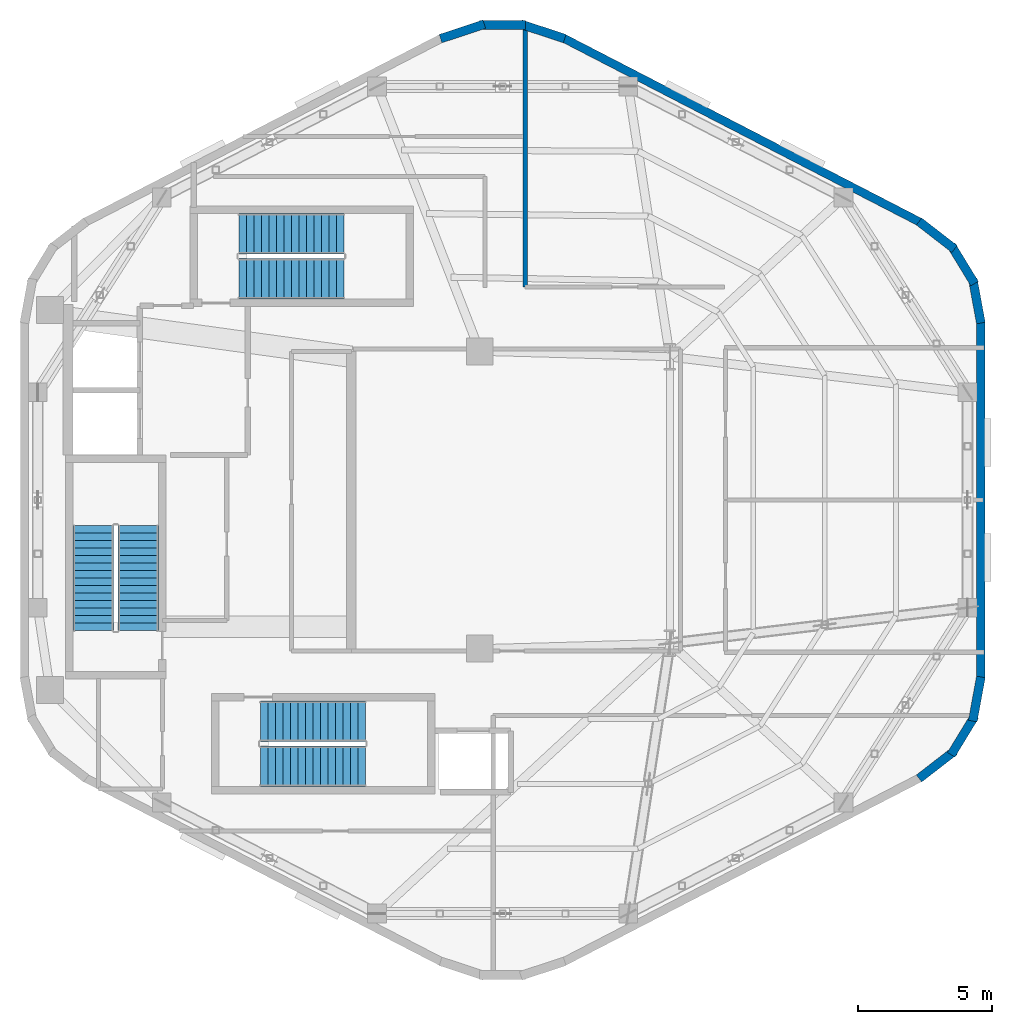
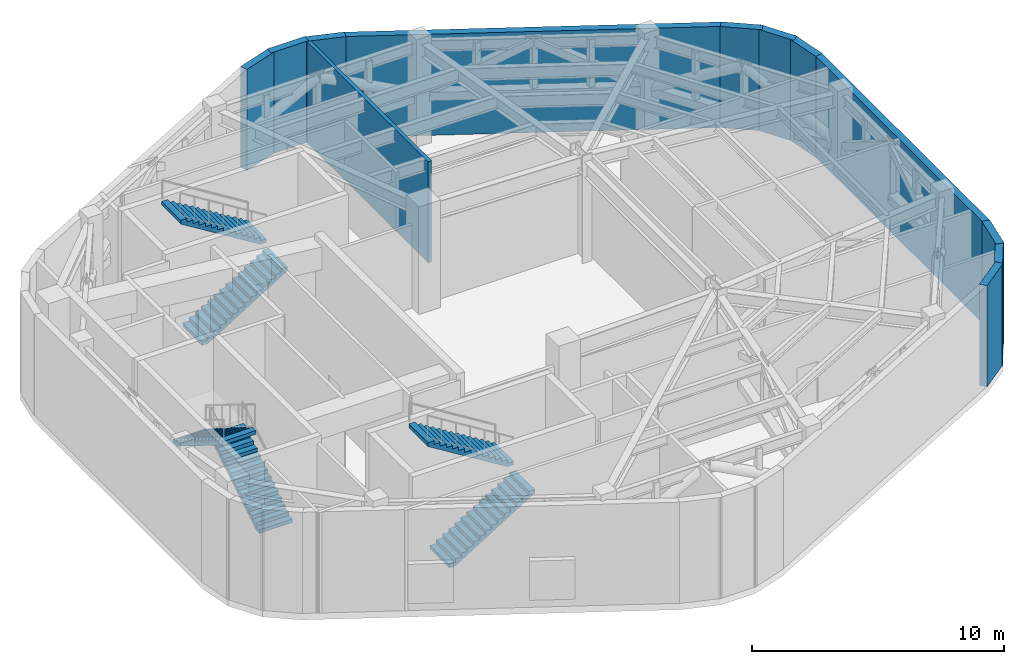
# One storey, part 7 of 8: 12 walls, 6 stair flights, 3 elements without a shape of their own.
"""IFC4 building model written with IfcOpenShell, lengths in metres."""

import ifcopenshell
import ifcopenshell.guid

model = None  # the IFC model being written
_history = None  # IfcOwnerHistory: only IFC2X3 demands one
_inside = {}  # id of a spatial element -> (the spatial element, [elements in it])
_under = {}  # id of a project, library or spatial element -> (it, [spatial elements below it])
_declared = {}  # id of a project -> (the project, [libraries it declares])
_typed = {}  # id of a type object -> (the type object, [elements of that type])
_made_of = {}  # id of a material, layer set ... -> (it, [elements and type objects made of it])


def new_model(schema):
    """Start an empty IFC model of exactly this schema.

    Asked for "IFC4X3", IfcOpenShell would pick the latest addendum, in which some entities
    have other attributes; the version numbers below select the first issue.
    IFC2X3 requires an IfcOwnerHistory on every rooted entity: one is made here for all.
    """
    global model, _history
    if schema == "IFC4X3":
        model = ifcopenshell.file(schema_version=(4, 3, 0, 0))
    else:
        model = ifcopenshell.file(schema=schema)
    _inside.clear()
    _under.clear()
    _declared.clear()
    _typed.clear()
    _made_of.clear()
    _history = None
    if model.schema == "IFC2X3":
        org = make("IfcOrganization", Name="unknown")
        user = make(
            "IfcPersonAndOrganization",
            ThePerson=make("IfcPerson", FamilyName="unknown"),
            TheOrganization=org,
        )
        app = make(
            "IfcApplication",
            ApplicationDeveloper=org,
            Version="unknown",
            ApplicationFullName="unknown",
            ApplicationIdentifier="unknown",
        )
        _history = make(
            "IfcOwnerHistory",
            OwningUser=user,
            OwningApplication=app,
            ChangeAction="ADDED",
            CreationDate=0,
        )
    return model


def make(cls, **values):
    """One entity of the class cls with the attributes given. An attribute that is None is left unset."""
    return model.create_entity(
        cls, **{name: value for name, value in values.items() if value is not None}
    )


def rooted(cls, **values):
    """An entity with a GlobalId (a new one), such as an element, a storey or a relation."""
    return make(cls, GlobalId=ifcopenshell.guid.new(), OwnerHistory=_history, **values)


def si_unit(unit_type, name, prefix=None):
    """IfcSIUnit, for example si_unit("LENGTHUNIT", "METRE", prefix="MILLI")."""
    return make("IfcSIUnit", UnitType=unit_type, Prefix=prefix, Name=name)


def assignment(units):
    """IfcUnitAssignment: the units of a project."""
    return None if units is None else make("IfcUnitAssignment", Units=units)


def point(xyz):
    """IfcCartesianPoint."""
    return None if xyz is None else make("IfcCartesianPoint", Coordinates=xyz)


def direction(xyz):
    """IfcDirection."""
    return None if xyz is None else make("IfcDirection", DirectionRatios=xyz)


def frame(location, z_axis=None, x_axis=None):
    """IfcAxis2Placement3D, a coordinate frame: its origin and axes. An axis left out is left unset."""
    return make(
        "IfcAxis2Placement3D",
        Location=point(location),
        Axis=direction(z_axis),
        RefDirection=direction(x_axis),
    )


def frame_2d(location, x_axis=None):
    """IfcAxis2Placement2D, a coordinate frame in the plane: its origin and x axis."""
    return make(
        "IfcAxis2Placement2D", Location=point(location), RefDirection=direction(x_axis)
    )


def origin():
    """The frame at (0, 0, 0) with its axes left unset."""
    return frame((0.0, 0.0, 0.0))


def place(relative_to, where):
    """IfcLocalPlacement: puts the frame where relative to a parent placement (None: the world)."""
    return make(
        "IfcLocalPlacement", PlacementRelTo=relative_to, RelativePlacement=where
    )


def context(
    kind, dimensions, precision=None, world=None, true_north=None, identifier=None
):
    """IfcGeometricRepresentationContext, for example the 3D "Model" context."""
    return make(
        "IfcGeometricRepresentationContext",
        ContextIdentifier=identifier,
        ContextType=kind,
        CoordinateSpaceDimension=dimensions,
        Precision=precision,
        WorldCoordinateSystem=world,
        TrueNorth=true_north,
    )


def subcontext(parent, identifier, kind, view, scale=None):
    """IfcGeometricRepresentationSubContext, for example "Body" below "Model"."""
    return make(
        "IfcGeometricRepresentationSubContext",
        ContextIdentifier=identifier,
        ContextType=kind,
        ParentContext=parent,
        TargetScale=scale,
        TargetView=view,
    )


def project(units=None, contexts=None):
    """IfcProject with its units and contexts."""
    return rooted(
        "IfcProject",
        Name="project",
        RepresentationContexts=contexts,
        UnitsInContext=assignment(units),
    )


def spatial(cls, under=None, at=None, **own):
    """A site, building, storey or space (cls), placed at a placement, below another one or the project."""
    s = rooted(cls, ObjectPlacement=at, **own)
    if under is not None:
        _under.setdefault(under.id(), (under, []))[1].append(s)
    return s


def polyline(points):
    """IfcPolyline through the points."""
    return make("IfcPolyline", Points=[point(p) for p in points])


def profile(cls, at=None, kind="AREA", **sizes):
    """A parametric profile (cls). Its sizes go by their IFC names, for example OverallWidth=200.0."""
    return make(cls, ProfileType=kind, Position=at, **sizes)


def rectangle(**sizes):
    """IfcRectangleProfileDef."""
    return profile("IfcRectangleProfileDef", **sizes)


def outline(outer, holes=None, kind="AREA"):
    """IfcArbitraryClosedProfileDef: a profile drawn as a closed curve; with holes, ...WithVoids."""
    if holes is None:
        return make("IfcArbitraryClosedProfileDef", ProfileType=kind, OuterCurve=outer)
    return make(
        "IfcArbitraryProfileDefWithVoids",
        ProfileType=kind,
        OuterCurve=outer,
        InnerCurves=holes,
    )


def extrude(swept, where, along, depth):
    """IfcExtrudedAreaSolid: the profile swept, set in the frame where, extruded along a direction by depth."""
    return make(
        "IfcExtrudedAreaSolid",
        SweptArea=swept,
        Position=where,
        ExtrudedDirection=direction(along),
        Depth=depth,
    )


def shape(context_of_items, identifier, shape_type, items):
    """IfcShapeRepresentation: the items that make up one representation, for example the "Body"."""
    return make(
        "IfcShapeRepresentation",
        ContextOfItems=context_of_items,
        RepresentationIdentifier=identifier,
        RepresentationType=shape_type,
        Items=items,
    )


def material(Name=None, Category=None):
    """IfcMaterial."""
    return make("IfcMaterial", Name=Name, Category=Category)


def layer(
    of_material, thickness, ventilated=None, Name=None, Category=None, Priority=None
):
    """IfcMaterialLayer: one layer of a wall or slab, of a material (None: an air gap)."""
    return make(
        "IfcMaterialLayer",
        Material=of_material,
        LayerThickness=thickness,
        IsVentilated=ventilated,
        Name=Name,
        Category=Category,
        Priority=Priority,
    )


def layer_set(layers, Name=None):
    """IfcMaterialLayerSet."""
    return make("IfcMaterialLayerSet", MaterialLayers=layers, LayerSetName=Name)


def made_of(thing, what):
    """Note that an element or type object is made of a material, layer set ...; save() writes the relation."""
    if what is not None:
        _made_of.setdefault(what.id(), (what, []))[1].append(thing)
    return thing


def type_object(cls, material=None, **own):
    """A type object (cls), such as IfcWallType, which elements share."""
    return made_of(rooted(cls, **own), material)


def element(
    cls,
    number,
    at=None,
    inside=None,
    cuts=None,
    type_object=None,
    material=None,
    context=None,
    identifier="Body",
    shape_type=None,
    held_by="IfcProductDefinitionShape",
    body=None,
    shapes=None,
    **own,
):
    """One element of the class cls, such as IfcWall. Its Tag is "e" and its number.

    at: its placement. inside: the storey or other place that contains it. cuts: it is an
    opening in that element (IfcRelVoidsElement). A single representation is given by context,
    identifier, shape_type and body (its items); several are given by shapes. held_by: the class
    of the entity that holds the representations. save() writes the other relations.
    """
    e = rooted(cls, Tag="e%d" % number, ObjectPlacement=at, **own)
    if body is not None:
        shapes = [shape(context, identifier, shape_type, body)]
    if shapes is not None:
        e.Representation = make(held_by, Representations=shapes)
    if inside is not None:
        _inside.setdefault(inside.id(), (inside, []))[1].append(e)
    if cuts is not None:
        rooted(
            "IfcRelVoidsElement", RelatingBuildingElement=cuts, RelatedOpeningElement=e
        )
    if type_object is not None:
        _typed.setdefault(type_object.id(), (type_object, []))[1].append(e)
    return made_of(e, material)


def aggregate(whole, parts):
    """IfcRelAggregates: a whole, such as a stair, and the parts it consists of."""
    return rooted("IfcRelAggregates", RelatingObject=whole, RelatedObjects=parts)


def save(model, path):
    """Write the relations noted so far, then the file.

    IfcRelAggregates (storeys below a building ...), IfcRelContainedInSpatialStructure (elements
    in a storey), IfcRelDefinesByType, IfcRelAssociatesMaterial and IfcRelDeclares: one each for
    every whole, place, type object, material and project.
    """
    for whole, parts in _under.values():
        aggregate(whole, parts)
    for where, things in _inside.values():
        rooted(
            "IfcRelContainedInSpatialStructure",
            RelatedElements=things,
            RelatingStructure=where,
        )
    for kind, things in _typed.values():
        rooted("IfcRelDefinesByType", RelatedObjects=things, RelatingType=kind)
    for what, things in _made_of.values():
        rooted("IfcRelAssociatesMaterial", RelatedObjects=things, RelatingMaterial=what)
    for by, libraries in _declared.values():
        rooted("IfcRelDeclares", RelatingContext=by, RelatedDefinitions=libraries)
    model.write(path)


model = new_model("IFC4")

# Units and contexts
model_context = context("Model", 3, precision=1e-05, world=origin(), true_north=direction((0.0, 1.0)))
body_context = subcontext(model_context, "Body", "Model", "MODEL_VIEW")
ifc_project = project(units=[si_unit("LENGTHUNIT", "METRE"), si_unit("AREAUNIT", "SQUARE_METRE"), si_unit("VOLUMEUNIT", "CUBIC_METRE"), si_unit("PLANEANGLEUNIT", "RADIAN"), si_unit("MASSUNIT", "GRAM", prefix="KILO"), si_unit("THERMODYNAMICTEMPERATUREUNIT", "KELVIN"), si_unit("POWERUNIT", "WATT")], contexts=[model_context])

# Site, building, storey
site_placement = place(None, origin())
site = spatial("IfcSite", under=ifc_project, at=site_placement, CompositionType="ELEMENT")
building_placement = place(site_placement, origin())
building = spatial("IfcBuilding", under=site, at=building_placement, Name="Skarre Station Tower", CompositionType="ELEMENT")
storey_placement = place(building_placement, frame((0.0, 0.0, 279.89990234375)))
storey = spatial("IfcBuildingStorey", under=building, at=storey_placement, Name="L76", CompositionType="ELEMENT", Elevation=279.89990234375)

# Walls
ifc_material_1 = material(Name="Precast concrete C45/55", Category="concrete")
ifc_layer_1 = layer(ifc_material_1, 0.330078125, Name="Precast concrete C45/55")
ifc_layer_set_1 = layer_set([ifc_layer_1], Name="Precast concrete C45/55")
wall_type_1 = type_object("IfcWallType", Name="Nordic Rounded Corner Precast Wall 330", PredefinedType="STANDARD", material=ifc_layer_set_1)
wall_1_placement = place(storey_placement, frame((48.7529296875, 34.40087890625, 0.0), z_axis=(0.0, 0.0, 1.0), x_axis=(0.790691856293, -0.61221433207, 0.0)))
element("IfcWall", 1, at=wall_1_placement, inside=storey, type_object=wall_type_1, Name="L76 Rounded Corner Precast Wall F0-1", PredefinedType="STANDARD", context=body_context, shape_type="SweptSolid", body=[
    extrude(rectangle(XDim=1.67578125, YDim=0.330078125, at=frame_2d((0.837890625, 0.0))), origin(), (0.0, 0.0, 1.0), 4.89013671875),
])
wall_2_placement = place(storey_placement, frame((49.952880859375, 33.514892578125, 0.0), z_axis=(0.0, 0.0, 1.0), x_axis=(0.520325409202, -0.853968072318, 0.0)))
element("IfcWall", 2, at=wall_2_placement, inside=storey, type_object=wall_type_1, Name="L76 Rounded Corner Precast Wall F0-2", PredefinedType="STANDARD", context=body_context, shape_type="SweptSolid", body=[
    extrude(rectangle(XDim=1.677978515625, YDim=0.330078125, at=frame_2d((0.8388671875, 0.0))), origin(), (0.0, 0.0, 1.0), 4.89013671875),
])
wall_3_placement = place(storey_placement, frame((50.759033203125, 32.257080078125, 0.0), z_axis=(0.0, 0.0, 1.0), x_axis=(0.180691763044, -0.983539773862, 0.0)))
element("IfcWall", 3, at=wall_3_placement, inside=storey, type_object=wall_type_1, Name="L76 Rounded Corner Precast Wall F0-3", PredefinedType="STANDARD", context=body_context, shape_type="SweptSolid", body=[
    extrude(rectangle(XDim=1.6767578125, YDim=0.330078125, at=frame_2d((0.83837890625, 0.0))), origin(), (0.0, 0.0, 1.0), 4.89013671875),
])
wall_4_placement = place(storey_placement, frame((30.882080078125, 41.23095703125, 0.0), z_axis=(0.0, 0.0, 1.0), x_axis=(0.949713440491, 0.313120393699, 0.0)))
element("IfcWall", 4, at=wall_4_placement, inside=storey, type_object=wall_type_1, Name="L76 Rounded Corner Precast Wall F1-1", PredefinedType="STANDARD", context=body_context, shape_type="SweptSolid", body=[
    extrude(rectangle(XDim=1.7216796875, YDim=0.330078125, at=frame_2d((0.86083984375, 0.0))), origin(), (0.0, 0.0, 1.0), 4.89013671875),
])
wall_5_placement = place(storey_placement, frame((32.339111328125, 41.740966796875, 0.0), z_axis=(0.0, 0.0, 1.0), x_axis=(1.0, 0.0, 0.0)))
element("IfcWall", 5, at=wall_5_placement, inside=storey, type_object=wall_type_1, Name="L76 Rounded Corner Precast Wall F1-2", PredefinedType="STANDARD", context=body_context, shape_type="SweptSolid", body=[
    extrude(rectangle(XDim=1.721923828125, YDim=0.330078125, at=frame_2d((0.86083984375, 0.0))), origin(), (0.0, 0.0, 1.0), 4.89013671875),
])
wall_6_placement = place(storey_placement, frame((33.883056640625, 41.77001953125, 0.0), z_axis=(0.0, 0.0, 1.0), x_axis=(0.949713440491, -0.313120393699, 0.0)))
element("IfcWall", 6, at=wall_6_placement, inside=storey, type_object=wall_type_1, Name="L76 Rounded Corner Precast Wall F1-3", PredefinedType="STANDARD", context=body_context, shape_type="SweptSolid", body=[
    extrude(rectangle(XDim=1.7216796875, YDim=0.330078125, at=frame_2d((0.86083984375, 0.0))), origin(), (0.0, 0.0, 1.0), 4.89013671875),
])
wall_7_placement = place(storey_placement, frame((51.06201171875, 17.39208984375, 0.0), z_axis=(0.0, 0.0, 1.0), x_axis=(-0.180691763044, -0.983539773862, 0.0)))
element("IfcWall", 7, at=wall_7_placement, inside=storey, type_object=wall_type_1, Name="L76 Rounded Corner Precast Wall F5-1", PredefinedType="STANDARD", context=body_context, shape_type="SweptSolid", body=[
    extrude(rectangle(XDim=1.6767578125, YDim=0.330078125, at=frame_2d((0.83837890625, 0.0))), origin(), (0.0, 0.0, 1.0), 4.89013671875),
])
wall_8_placement = place(storey_placement, frame((50.825927734375, 15.91796875, 0.0), z_axis=(0.0, 0.0, 1.0), x_axis=(-0.520325409202, -0.853968072318, 0.0)))
element("IfcWall", 8, at=wall_8_placement, inside=storey, type_object=wall_type_1, Name="L76 Rounded Corner Precast Wall F5-2", PredefinedType="STANDARD", context=body_context, shape_type="SweptSolid", body=[
    extrude(rectangle(XDim=1.677978515625, YDim=0.330078125, at=frame_2d((0.8388671875, 0.0))), origin(), (0.0, 0.0, 1.0), 4.89013671875),
])
wall_9_placement = place(storey_placement, frame((50.077880859375, 14.625, 0.0), z_axis=(0.0, 0.0, 1.0), x_axis=(-0.790691856293, -0.61221433207, 0.0)))
element("IfcWall", 9, at=wall_9_placement, inside=storey, type_object=wall_type_1, Name="L76 Rounded Corner Precast Wall F5-3", PredefinedType="STANDARD", context=body_context, shape_type="SweptSolid", body=[
    extrude(rectangle(XDim=1.67578125, YDim=0.330078125, at=frame_2d((0.837890625, 0.0))), origin(), (0.0, 0.0, 1.0), 4.89013671875),
])
ifc_layer_2 = layer(ifc_material_1, 0.31005859375, Name="Precast concrete C45/55")
ifc_layer_set_2 = layer_set([ifc_layer_2], Name="Precast concrete C45/55")
wall_type_2 = type_object("IfcWallType", Name="Nordic Upper-Zone Precast Facet Wall 310", PredefinedType="STANDARD", material=ifc_layer_set_2)
wall_10_placement = place(storey_placement, frame((35.43701171875, 41.27001953125, 0.0), z_axis=(0.0, 0.0, 1.0), x_axis=(0.888581481622, -0.458718814218, 0.0)))
element("IfcWall", 10, at=wall_10_placement, inside=storey, type_object=wall_type_2, Name="L76 Facet 0 Nordic Precast Masonry Wall", PredefinedType="STANDARD", context=body_context, shape_type="SweptSolid", body=[
    extrude(rectangle(XDim=15.076904296875, YDim=0.31005859375, at=frame_2d((7.53857421875, 0.0))), origin(), (0.0, 0.0, 1.0), 4.89013671875),
])
wall_11_placement = place(storey_placement, frame((51.05810546875, 30.701904296875, 0.0), z_axis=(0.0, 0.0, 1.0), x_axis=(0.0, -1.0, 0.0)))
element("IfcWall", 11, at=wall_11_placement, inside=storey, type_object=wall_type_2, Name="L76 Facet 5 Nordic Precast Masonry Wall", PredefinedType="STANDARD", context=body_context, shape_type="SweptSolid", body=[
    extrude(rectangle(XDim=13.40380859375, YDim=0.31005859375, at=frame_2d((6.701904296875, 0.0))), origin(), (0.0, 0.0, 1.0), 4.89013671875),
])
ifc_material_2 = material(Name="Acoustic Steel-Stud Gypsum Partition", Category="steel")
ifc_layer_3 = layer(ifc_material_2, 0.1650390625, Name="Acoustic Steel-Stud Gypsum Partition")
ifc_layer_set_3 = layer_set([ifc_layer_3], Name="Acoustic Steel-Stud Gypsum Partition")
wall_type_3 = type_object("IfcWallType", Name="Suite Demising Acoustic Partition 165", PredefinedType="PARTITIONING", material=ifc_layer_set_3)
wall_12_placement = place(storey_placement, frame((34.0400390625, 31.9599609375, 0.0), z_axis=(0.0, 0.0, 1.0), x_axis=(0.0, 1.0, 0.0)))
element("IfcWall", 12, at=wall_12_placement, inside=storey, type_object=wall_type_3, Name="L76 Interior Partition WL-PT-L76-PLTN-WBND", PredefinedType="PARTITIONING", context=body_context, shape_type="SweptSolid", body=[
    extrude(rectangle(XDim=9.858154296875, YDim=0.1650390625, at=frame_2d((4.92919921875, 0.0))), origin(), (0.0, 0.0, 1.0), 4.89013671875),
])

# Stair, stair flights
ifc_material_3 = material(Name="Concrete C40/50", Category="concrete")
stair_type_1 = type_object("IfcStairType", Name="Reinforced Concrete Exit Stair ST-1", PredefinedType="HALF_TURN_STAIR", material=ifc_material_3)
stair_1_placement = place(storey_placement, origin())
stair_1 = element("IfcStair", 13, at=stair_1_placement, inside=storey, type_object=stair_type_1, Name="L76 Core Exit Stair ST-1", PredefinedType="HALF_TURN_STAIR")
stair_flight_type_1 = type_object("IfcStairFlightType", Name="Reinforced Concrete Stair Flight ST-1", PredefinedType="STRAIGHT", material=ifc_material_3)
stair_flight_1_placement = place(storey_placement, frame((19.590087890625, 19.1201171875, 0.0), z_axis=(0.0, 0.0, 1.0), x_axis=(0.0, 1.0, 0.0)))
stair_flight_1 = element("IfcStairFlight", 14, at=stair_flight_1_placement, type_object=stair_flight_type_1, Name="ST-1 flight 1", NumberOfRisers=15, NumberOfTreads=14, PredefinedType="STRAIGHT", RiserHeight=0.173333333, TreadLength=0.28, context=body_context, shape_type="SweptSolid", body=[
    extrude(outline(polyline([(0.0, 0.0), (0.0, 0.17333984375), (0.280029296875, 0.17333984375), (0.280029296875, 0.3466796875), (0.56005859375, 0.3466796875), (0.56005859375, 0.52001953125), (0.840087890625, 0.52001953125), (0.840087890625, 0.693359375), (1.1201171875, 0.693359375), (1.1201171875, 0.86669921875), (1.39990234375, 0.86669921875), (1.39990234375, 1.0400390625), (1.679931640625, 1.0400390625), (1.679931640625, 1.21337890625), (1.9599609375, 1.21337890625), (1.9599609375, 1.38671875), (2.239990234375, 1.38671875), (2.239990234375, 1.56005859375), (2.52001953125, 1.56005859375), (2.52001953125, 1.7333984375), (2.800048828125, 1.7333984375), (2.800048828125, 1.90673828125), (3.080078125, 1.90673828125), (3.080078125, 2.080078125), (3.360107421875, 2.080078125), (3.360107421875, 2.25341796875), (3.639892578125, 2.25341796875), (3.639892578125, 2.4267578125), (3.919921875, 2.4267578125), (3.919921875, 2.60009765625), (3.919921875, 2.250244140625), (0.284912109375, 0.0), (0.0, 0.0)])), frame((0.0, 0.760009765625, 0.0), z_axis=(0.0, -1.0, 0.0), x_axis=(1.0, 0.0, 0.0)), (0.0, 0.0, 1.0), 1.52001953125),
])
stair_flight_2_placement = place(storey_placement, frame((17.909912109375, 23.0400390625, 2.60009765625), z_axis=(0.0, 0.0, 1.0), x_axis=(0.0, -1.0, 0.0)))
stair_flight_2 = element("IfcStairFlight", 15, at=stair_flight_2_placement, type_object=stair_flight_type_1, Name="ST-1 flight 2", NumberOfRisers=15, NumberOfTreads=14, PredefinedType="STRAIGHT", RiserHeight=0.173333333, TreadLength=0.28, context=body_context, shape_type="SweptSolid", body=[
    extrude(outline(polyline([(0.0, 0.0), (0.0, 0.17333984375), (0.280029296875, 0.17333984375), (0.280029296875, 0.3466796875), (0.56005859375, 0.3466796875), (0.56005859375, 0.52001953125), (0.840087890625, 0.52001953125), (0.840087890625, 0.693359375), (1.1201171875, 0.693359375), (1.1201171875, 0.86669921875), (1.39990234375, 0.86669921875), (1.39990234375, 1.0400390625), (1.679931640625, 1.0400390625), (1.679931640625, 1.21337890625), (1.9599609375, 1.21337890625), (1.9599609375, 1.38671875), (2.239990234375, 1.38671875), (2.239990234375, 1.56005859375), (2.52001953125, 1.56005859375), (2.52001953125, 1.7333984375), (2.800048828125, 1.7333984375), (2.800048828125, 1.90673828125), (3.080078125, 1.90673828125), (3.080078125, 2.080078125), (3.360107421875, 2.080078125), (3.360107421875, 2.25341796875), (3.639892578125, 2.25341796875), (3.639892578125, 2.4267578125), (3.919921875, 2.4267578125), (3.919921875, 2.60009765625), (3.919921875, 2.250244140625), (0.284912109375, 0.0), (0.0, 0.0)])), frame((0.0, 0.760009765625, 0.0), z_axis=(0.0, -1.0, 0.0), x_axis=(1.0, 0.0, 0.0)), (0.0, 0.0, 1.0), 1.52001953125),
])
aggregate(stair_1, [stair_flight_1, stair_flight_2])

stair_type_2 = type_object("IfcStairType", Name="Reinforced Concrete Exit Stair ST-2", PredefinedType="HALF_TURN_STAIR", material=ifc_material_3)
stair_2_placement = place(storey_placement, origin())
stair_2 = element("IfcStair", 16, at=stair_2_placement, inside=storey, type_object=stair_type_2, Name="L76 Core Exit Stair ST-2", PredefinedType="HALF_TURN_STAIR")
stair_flight_type_2 = type_object("IfcStairFlightType", Name="Reinforced Concrete Stair Flight ST-2", PredefinedType="STRAIGHT", material=ifc_material_3)
stair_flight_3_placement = place(storey_placement, frame((24.14990234375, 14.06005859375, 0.0), z_axis=(0.0, 0.0, 1.0), x_axis=(1.0, 0.0, 0.0)))
stair_flight_3 = element("IfcStairFlight", 17, at=stair_flight_3_placement, type_object=stair_flight_type_2, Name="ST-2 flight 1", NumberOfRisers=15, NumberOfTreads=14, PredefinedType="STRAIGHT", RiserHeight=0.173333333, TreadLength=0.28, context=body_context, shape_type="SweptSolid", body=[
    extrude(outline(polyline([(0.0, 0.0), (0.0, 0.17333984375), (0.280029296875, 0.17333984375), (0.280029296875, 0.3466796875), (0.56005859375, 0.3466796875), (0.56005859375, 0.52001953125), (0.840087890625, 0.52001953125), (0.840087890625, 0.693359375), (1.1201171875, 0.693359375), (1.1201171875, 0.86669921875), (1.39990234375, 0.86669921875), (1.39990234375, 1.0400390625), (1.679931640625, 1.0400390625), (1.679931640625, 1.21337890625), (1.9599609375, 1.21337890625), (1.9599609375, 1.38671875), (2.239990234375, 1.38671875), (2.239990234375, 1.56005859375), (2.52001953125, 1.56005859375), (2.52001953125, 1.7333984375), (2.800048828125, 1.7333984375), (2.800048828125, 1.90673828125), (3.080078125, 1.90673828125), (3.080078125, 2.080078125), (3.360107421875, 2.080078125), (3.360107421875, 2.25341796875), (3.639892578125, 2.25341796875), (3.639892578125, 2.4267578125), (3.919921875, 2.4267578125), (3.919921875, 2.60009765625), (3.919921875, 2.250244140625), (0.284912109375, 0.0), (0.0, 0.0)])), frame((0.0, 0.760009765625, 0.0), z_axis=(0.0, -1.0, 0.0), x_axis=(1.0, 0.0, 0.0)), (0.0, 0.0, 1.0), 1.52001953125),
])
stair_flight_4_placement = place(storey_placement, frame((28.070068359375, 15.739990234375, 2.60009765625), z_axis=(0.0, 0.0, 1.0), x_axis=(-1.0, 0.0, 0.0)))
stair_flight_4 = element("IfcStairFlight", 18, at=stair_flight_4_placement, type_object=stair_flight_type_2, Name="ST-2 flight 2", NumberOfRisers=15, NumberOfTreads=14, PredefinedType="STRAIGHT", RiserHeight=0.173333333, TreadLength=0.28, context=body_context, shape_type="SweptSolid", body=[
    extrude(outline(polyline([(0.0, 0.0), (0.0, 0.17333984375), (0.280029296875, 0.17333984375), (0.280029296875, 0.3466796875), (0.56005859375, 0.3466796875), (0.56005859375, 0.52001953125), (0.840087890625, 0.52001953125), (0.840087890625, 0.693359375), (1.1201171875, 0.693359375), (1.1201171875, 0.86669921875), (1.39990234375, 0.86669921875), (1.39990234375, 1.0400390625), (1.679931640625, 1.0400390625), (1.679931640625, 1.21337890625), (1.9599609375, 1.21337890625), (1.9599609375, 1.38671875), (2.239990234375, 1.38671875), (2.239990234375, 1.56005859375), (2.52001953125, 1.56005859375), (2.52001953125, 1.7333984375), (2.800048828125, 1.7333984375), (2.800048828125, 1.90673828125), (3.080078125, 1.90673828125), (3.080078125, 2.080078125), (3.360107421875, 2.080078125), (3.360107421875, 2.25341796875), (3.639892578125, 2.25341796875), (3.639892578125, 2.4267578125), (3.919921875, 2.4267578125), (3.919921875, 2.60009765625), (3.919921875, 2.250244140625), (0.284912109375, 0.0), (0.0, 0.0)])), frame((0.0, 0.760009765625, 0.0), z_axis=(0.0, -1.0, 0.0), x_axis=(1.0, 0.0, 0.0)), (0.0, 0.0, 1.0), 1.52001953125),
])
aggregate(stair_2, [stair_flight_3, stair_flight_4])

stair_type_3 = type_object("IfcStairType", Name="Reinforced Concrete Exit Stair ST-3", PredefinedType="HALF_TURN_STAIR", material=ifc_material_3)
stair_3_placement = place(storey_placement, origin())
stair_3 = element("IfcStair", 19, at=stair_3_placement, inside=storey, type_object=stair_type_3, Name="L76 Core Exit Stair ST-3", PredefinedType="HALF_TURN_STAIR")
stair_flight_type_3 = type_object("IfcStairFlightType", Name="Reinforced Concrete Stair Flight ST-3", PredefinedType="STRAIGHT", material=ifc_material_3)
stair_flight_5_placement = place(storey_placement, frame((23.35009765625, 32.260009765625, 0.0), z_axis=(0.0, 0.0, 1.0), x_axis=(1.0, 0.0, 0.0)))
stair_flight_5 = element("IfcStairFlight", 20, at=stair_flight_5_placement, type_object=stair_flight_type_3, Name="ST-3 flight 1", NumberOfRisers=15, NumberOfTreads=14, PredefinedType="STRAIGHT", RiserHeight=0.173333333, TreadLength=0.28, context=body_context, shape_type="SweptSolid", body=[
    extrude(outline(polyline([(0.0, 0.0), (0.0, 0.17333984375), (0.280029296875, 0.17333984375), (0.280029296875, 0.3466796875), (0.56005859375, 0.3466796875), (0.56005859375, 0.52001953125), (0.840087890625, 0.52001953125), (0.840087890625, 0.693359375), (1.1201171875, 0.693359375), (1.1201171875, 0.86669921875), (1.39990234375, 0.86669921875), (1.39990234375, 1.0400390625), (1.679931640625, 1.0400390625), (1.679931640625, 1.21337890625), (1.9599609375, 1.21337890625), (1.9599609375, 1.38671875), (2.239990234375, 1.38671875), (2.239990234375, 1.56005859375), (2.52001953125, 1.56005859375), (2.52001953125, 1.7333984375), (2.800048828125, 1.7333984375), (2.800048828125, 1.90673828125), (3.080078125, 1.90673828125), (3.080078125, 2.080078125), (3.360107421875, 2.080078125), (3.360107421875, 2.25341796875), (3.639892578125, 2.25341796875), (3.639892578125, 2.4267578125), (3.919921875, 2.4267578125), (3.919921875, 2.60009765625), (3.919921875, 2.250244140625), (0.284912109375, 0.0), (0.0, 0.0)])), frame((0.0, 0.760009765625, 0.0), z_axis=(0.0, -1.0, 0.0), x_axis=(1.0, 0.0, 0.0)), (0.0, 0.0, 1.0), 1.52001953125),
])
stair_flight_6_placement = place(storey_placement, frame((27.27001953125, 33.93994140625, 2.60009765625), z_axis=(0.0, 0.0, 1.0), x_axis=(-1.0, 0.0, 0.0)))
stair_flight_6 = element("IfcStairFlight", 21, at=stair_flight_6_placement, type_object=stair_flight_type_3, Name="ST-3 flight 2", NumberOfRisers=15, NumberOfTreads=14, PredefinedType="STRAIGHT", RiserHeight=0.173333333, TreadLength=0.28, context=body_context, shape_type="SweptSolid", body=[
    extrude(outline(polyline([(0.0, 0.0), (0.0, 0.17333984375), (0.280029296875, 0.17333984375), (0.280029296875, 0.3466796875), (0.56005859375, 0.3466796875), (0.56005859375, 0.52001953125), (0.840087890625, 0.52001953125), (0.840087890625, 0.693359375), (1.1201171875, 0.693359375), (1.1201171875, 0.86669921875), (1.39990234375, 0.86669921875), (1.39990234375, 1.0400390625), (1.679931640625, 1.0400390625), (1.679931640625, 1.21337890625), (1.9599609375, 1.21337890625), (1.9599609375, 1.38671875), (2.239990234375, 1.38671875), (2.239990234375, 1.56005859375), (2.52001953125, 1.56005859375), (2.52001953125, 1.7333984375), (2.800048828125, 1.7333984375), (2.800048828125, 1.90673828125), (3.080078125, 1.90673828125), (3.080078125, 2.080078125), (3.360107421875, 2.080078125), (3.360107421875, 2.25341796875), (3.639892578125, 2.25341796875), (3.639892578125, 2.4267578125), (3.919921875, 2.4267578125), (3.919921875, 2.60009765625), (3.919921875, 2.250244140625), (0.284912109375, 0.0), (0.0, 0.0)])), frame((0.0, 0.760009765625, 0.0), z_axis=(0.0, -1.0, 0.0), x_axis=(1.0, 0.0, 0.0)), (0.0, 0.0, 1.0), 1.52001953125),
])
aggregate(stair_3, [stair_flight_5, stair_flight_6])

save(model, "model.ifc")
